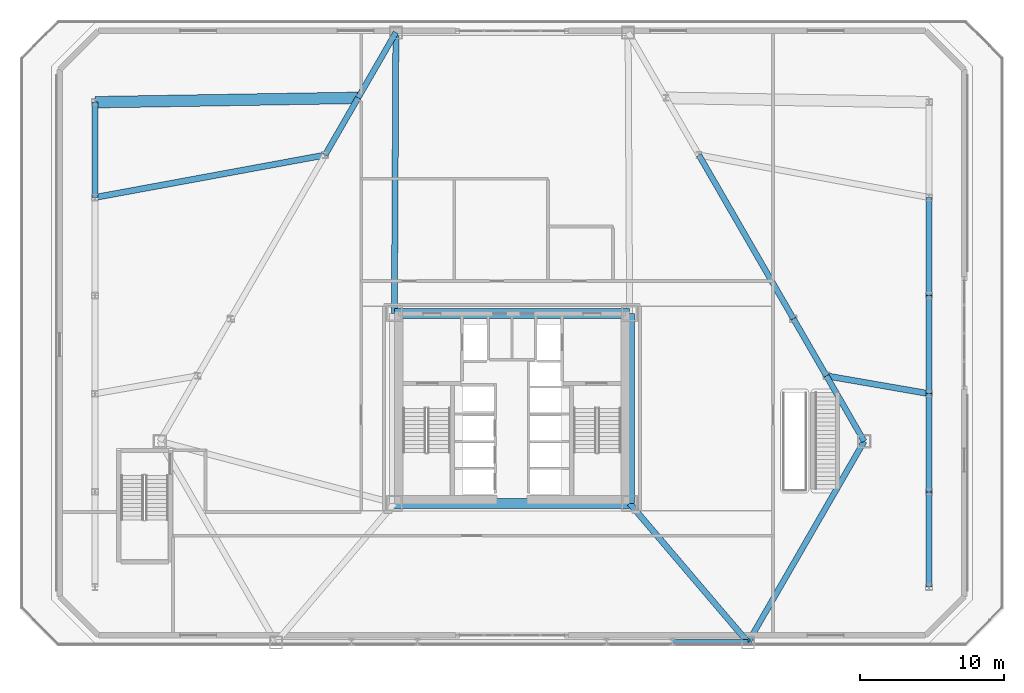
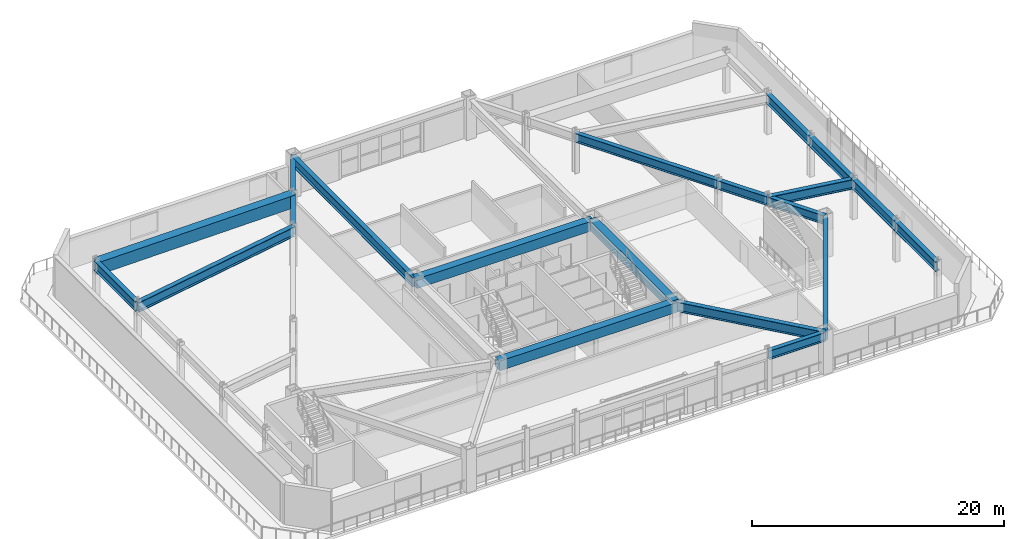
# One storey, part 5 of 22: 20 beams.
"""IFC4 building model written with IfcOpenShell, lengths in metres."""

import ifcopenshell
import ifcopenshell.guid

model = None  # the IFC model being written
_history = None  # IfcOwnerHistory: only IFC2X3 demands one
_inside = {}  # id of a spatial element -> (the spatial element, [elements in it])
_under = {}  # id of a project, library or spatial element -> (it, [spatial elements below it])
_declared = {}  # id of a project -> (the project, [libraries it declares])
_typed = {}  # id of a type object -> (the type object, [elements of that type])
_made_of = {}  # id of a material, layer set ... -> (it, [elements and type objects made of it])


def new_model(schema):
    """Start an empty IFC model of exactly this schema.

    Asked for "IFC4X3", IfcOpenShell would pick the latest addendum, in which some entities
    have other attributes; the version numbers below select the first issue.
    IFC2X3 requires an IfcOwnerHistory on every rooted entity: one is made here for all.
    """
    global model, _history
    if schema == "IFC4X3":
        model = ifcopenshell.file(schema_version=(4, 3, 0, 0))
    else:
        model = ifcopenshell.file(schema=schema)
    _inside.clear()
    _under.clear()
    _declared.clear()
    _typed.clear()
    _made_of.clear()
    _history = None
    if model.schema == "IFC2X3":
        org = make("IfcOrganization", Name="unknown")
        user = make(
            "IfcPersonAndOrganization",
            ThePerson=make("IfcPerson", FamilyName="unknown"),
            TheOrganization=org,
        )
        app = make(
            "IfcApplication",
            ApplicationDeveloper=org,
            Version="unknown",
            ApplicationFullName="unknown",
            ApplicationIdentifier="unknown",
        )
        _history = make(
            "IfcOwnerHistory",
            OwningUser=user,
            OwningApplication=app,
            ChangeAction="ADDED",
            CreationDate=0,
        )
    return model


def make(cls, **values):
    """One entity of the class cls with the attributes given. An attribute that is None is left unset."""
    return model.create_entity(
        cls, **{name: value for name, value in values.items() if value is not None}
    )


def rooted(cls, **values):
    """An entity with a GlobalId (a new one), such as an element, a storey or a relation."""
    return make(cls, GlobalId=ifcopenshell.guid.new(), OwnerHistory=_history, **values)


def si_unit(unit_type, name, prefix=None):
    """IfcSIUnit, for example si_unit("LENGTHUNIT", "METRE", prefix="MILLI")."""
    return make("IfcSIUnit", UnitType=unit_type, Prefix=prefix, Name=name)


def assignment(units):
    """IfcUnitAssignment: the units of a project."""
    return None if units is None else make("IfcUnitAssignment", Units=units)


def point(xyz):
    """IfcCartesianPoint."""
    return None if xyz is None else make("IfcCartesianPoint", Coordinates=xyz)


def direction(xyz):
    """IfcDirection."""
    return None if xyz is None else make("IfcDirection", DirectionRatios=xyz)


def frame(location, z_axis=None, x_axis=None):
    """IfcAxis2Placement3D, a coordinate frame: its origin and axes. An axis left out is left unset."""
    return make(
        "IfcAxis2Placement3D",
        Location=point(location),
        Axis=direction(z_axis),
        RefDirection=direction(x_axis),
    )


def frame_2d(location, x_axis=None):
    """IfcAxis2Placement2D, a coordinate frame in the plane: its origin and x axis."""
    return make(
        "IfcAxis2Placement2D", Location=point(location), RefDirection=direction(x_axis)
    )


def origin():
    """The frame at (0, 0, 0) with its axes left unset."""
    return frame((0.0, 0.0, 0.0))


def origin_2d():
    """The frame at (0, 0) in the plane with its x axis left unset."""
    return frame_2d((0.0, 0.0))


def place(relative_to, where):
    """IfcLocalPlacement: puts the frame where relative to a parent placement (None: the world)."""
    return make(
        "IfcLocalPlacement", PlacementRelTo=relative_to, RelativePlacement=where
    )


def context(
    kind, dimensions, precision=None, world=None, true_north=None, identifier=None
):
    """IfcGeometricRepresentationContext, for example the 3D "Model" context."""
    return make(
        "IfcGeometricRepresentationContext",
        ContextIdentifier=identifier,
        ContextType=kind,
        CoordinateSpaceDimension=dimensions,
        Precision=precision,
        WorldCoordinateSystem=world,
        TrueNorth=true_north,
    )


def subcontext(parent, identifier, kind, view, scale=None):
    """IfcGeometricRepresentationSubContext, for example "Body" below "Model"."""
    return make(
        "IfcGeometricRepresentationSubContext",
        ContextIdentifier=identifier,
        ContextType=kind,
        ParentContext=parent,
        TargetScale=scale,
        TargetView=view,
    )


def project(units=None, contexts=None):
    """IfcProject with its units and contexts."""
    return rooted(
        "IfcProject",
        Name="project",
        RepresentationContexts=contexts,
        UnitsInContext=assignment(units),
    )


def spatial(cls, under=None, at=None, **own):
    """A site, building, storey or space (cls), placed at a placement, below another one or the project."""
    s = rooted(cls, ObjectPlacement=at, **own)
    if under is not None:
        _under.setdefault(under.id(), (under, []))[1].append(s)
    return s


def profile(cls, at=None, kind="AREA", **sizes):
    """A parametric profile (cls). Its sizes go by their IFC names, for example OverallWidth=200.0."""
    return make(cls, ProfileType=kind, Position=at, **sizes)


def rectangle(**sizes):
    """IfcRectangleProfileDef."""
    return profile("IfcRectangleProfileDef", **sizes)


def hollow_rectangle(**sizes):
    """IfcRectangleHollowProfileDef."""
    return profile("IfcRectangleHollowProfileDef", **sizes)


def i_section(**sizes):
    """IfcIShapeProfileDef."""
    return profile("IfcIShapeProfileDef", **sizes)


def extrude(swept, where, along, depth):
    """IfcExtrudedAreaSolid: the profile swept, set in the frame where, extruded along a direction by depth."""
    return make(
        "IfcExtrudedAreaSolid",
        SweptArea=swept,
        Position=where,
        ExtrudedDirection=direction(along),
        Depth=depth,
    )


def shape(context_of_items, identifier, shape_type, items):
    """IfcShapeRepresentation: the items that make up one representation, for example the "Body"."""
    return make(
        "IfcShapeRepresentation",
        ContextOfItems=context_of_items,
        RepresentationIdentifier=identifier,
        RepresentationType=shape_type,
        Items=items,
    )


def material(Name=None, Category=None):
    """IfcMaterial."""
    return make("IfcMaterial", Name=Name, Category=Category)


def material_profile(
    of_material, cross_section, Name=None, Category=None, Priority=None
):
    """IfcMaterialProfile: a cross section and its material."""
    return make(
        "IfcMaterialProfile",
        Name=Name,
        Material=of_material,
        Profile=cross_section,
        Priority=Priority,
        Category=Category,
    )


def profile_set(profiles, Name=None, composite=None):
    """IfcMaterialProfileSet."""
    return make(
        "IfcMaterialProfileSet",
        Name=Name,
        MaterialProfiles=profiles,
        CompositeProfile=composite,
    )


def made_of(thing, what):
    """Note that an element or type object is made of a material, layer set ...; save() writes the relation."""
    if what is not None:
        _made_of.setdefault(what.id(), (what, []))[1].append(thing)
    return thing


def type_object(cls, material=None, **own):
    """A type object (cls), such as IfcWallType, which elements share."""
    return made_of(rooted(cls, **own), material)


def element(
    cls,
    number,
    at=None,
    inside=None,
    cuts=None,
    type_object=None,
    material=None,
    context=None,
    identifier="Body",
    shape_type=None,
    held_by="IfcProductDefinitionShape",
    body=None,
    shapes=None,
    **own,
):
    """One element of the class cls, such as IfcWall. Its Tag is "e" and its number.

    at: its placement. inside: the storey or other place that contains it. cuts: it is an
    opening in that element (IfcRelVoidsElement). A single representation is given by context,
    identifier, shape_type and body (its items); several are given by shapes. held_by: the class
    of the entity that holds the representations. save() writes the other relations.
    """
    e = rooted(cls, Tag="e%d" % number, ObjectPlacement=at, **own)
    if body is not None:
        shapes = [shape(context, identifier, shape_type, body)]
    if shapes is not None:
        e.Representation = make(held_by, Representations=shapes)
    if inside is not None:
        _inside.setdefault(inside.id(), (inside, []))[1].append(e)
    if cuts is not None:
        rooted(
            "IfcRelVoidsElement", RelatingBuildingElement=cuts, RelatedOpeningElement=e
        )
    if type_object is not None:
        _typed.setdefault(type_object.id(), (type_object, []))[1].append(e)
    return made_of(e, material)


def aggregate(whole, parts):
    """IfcRelAggregates: a whole, such as a stair, and the parts it consists of."""
    return rooted("IfcRelAggregates", RelatingObject=whole, RelatedObjects=parts)


def save(model, path):
    """Write the relations noted so far, then the file.

    IfcRelAggregates (storeys below a building ...), IfcRelContainedInSpatialStructure (elements
    in a storey), IfcRelDefinesByType, IfcRelAssociatesMaterial and IfcRelDeclares: one each for
    every whole, place, type object, material and project.
    """
    for whole, parts in _under.values():
        aggregate(whole, parts)
    for where, things in _inside.values():
        rooted(
            "IfcRelContainedInSpatialStructure",
            RelatedElements=things,
            RelatingStructure=where,
        )
    for kind, things in _typed.values():
        rooted("IfcRelDefinesByType", RelatedObjects=things, RelatingType=kind)
    for what, things in _made_of.values():
        rooted("IfcRelAssociatesMaterial", RelatedObjects=things, RelatingMaterial=what)
    for by, libraries in _declared.values():
        rooted("IfcRelDeclares", RelatingContext=by, RelatedDefinitions=libraries)
    model.write(path)


model = new_model("IFC4")

# Units and contexts
model_context = context("Model", 3, precision=1e-05, world=origin(), true_north=direction((0.0, 1.0)))
body_context = subcontext(model_context, "Body", "Model", "MODEL_VIEW")
ifc_project = project(units=[si_unit("LENGTHUNIT", "METRE"), si_unit("AREAUNIT", "SQUARE_METRE"), si_unit("VOLUMEUNIT", "CUBIC_METRE"), si_unit("PLANEANGLEUNIT", "RADIAN"), si_unit("MASSUNIT", "GRAM", prefix="KILO")], contexts=[model_context])

# Site, building, storey
site_placement = place(None, origin())
site = spatial("IfcSite", under=ifc_project, at=site_placement, CompositionType="ELEMENT")
building_placement = place(site_placement, origin())
building = spatial("IfcBuilding", under=site, at=building_placement, Name="Oramaril Tower", CompositionType="ELEMENT")
storey_placement = place(building_placement, frame((0.0, 0.0, 18.300048828125)))
storey = spatial("IfcBuildingStorey", under=building, at=storey_placement, Name="L04", CompositionType="ELEMENT", Elevation=18.300048828125)

# Beams
ifc_material_1 = material(Name="Concrete C50/60", Category="concrete")
ifc_material_profile_1 = material_profile(ifc_material_1, rectangle(XDim=0.699951171875, YDim=0.949951171875, at=origin_2d()), Name="CB700X950")
ifc_profile_set_1 = profile_set([ifc_material_profile_1], Name="Concrete C50/60")
beam_type_1 = type_object("IfcBeamType", Name="BT-CB1", PredefinedType="BEAM", material=ifc_profile_set_1)
beam_1_placement = place(storey_placement, frame((29.35009765625, 11.0, 3.405029296875), z_axis=(1.0, 0.0, 0.0), x_axis=(0.0, 1.0, 0.0)))
element("IfcBeam", 1, at=beam_1_placement, inside=storey, type_object=beam_type_1, Name="L04 Core Header Beam CB-1", PredefinedType="BEAM", context=body_context, shape_type="SweptSolid", body=[
    extrude(rectangle(XDim=0.699951171875, YDim=0.949951171875, at=origin_2d()), origin(), (0.0, 0.0, 1.0), 16.2998046875),
])
beam_2_placement = place(storey_placement, frame((45.64990234375, 11.0, 3.405029296875), z_axis=(0.0, 1.0, 0.0), x_axis=(-1.0, 0.0, 0.0)))
element("IfcBeam", 2, at=beam_2_placement, inside=storey, type_object=beam_type_1, Name="L04 Core Header Beam CB-2", PredefinedType="BEAM", context=body_context, shape_type="SweptSolid", body=[
    extrude(rectangle(XDim=0.699951171875, YDim=0.949951171875, at=origin_2d()), origin(), (0.0, 0.0, 1.0), 13.14990234375),
])
beam_3_placement = place(storey_placement, frame((45.64990234375, 24.14990234375, 3.405029296875), z_axis=(-1.0, 0.0, 0.0), x_axis=(0.0, -1.0, 0.0)))
element("IfcBeam", 3, at=beam_3_placement, inside=storey, type_object=beam_type_1, Name="L04 Core Header Beam CB-3", PredefinedType="BEAM", context=body_context, shape_type="SweptSolid", body=[
    extrude(rectangle(XDim=0.699951171875, YDim=0.949951171875, at=origin_2d()), origin(), (0.0, 0.0, 1.0), 16.2998046875),
])
ifc_material_2 = material(Name="Steel ASTM A572 Gr 50", Category="steel")
ifc_material_profile_2 = material_profile(ifc_material_2, i_section(OverallWidth=0.424072265625, OverallDepth=0.947021484375, WebThickness=0.02392578125, FlangeThickness=0.042724609375, at=origin_2d()), Name="W36X302")
ifc_profile_set_2 = profile_set([ifc_material_profile_2], Name="Steel ASTM A572 Gr 50")
beam_type_2 = type_object("IfcBeamType", Name="BT-PG1", PredefinedType="BEAM", material=ifc_profile_set_2)
beam_4_placement = place(storey_placement, frame((8.60009765625, 32.199951171875, 3.406494140625), z_axis=(0.983441112449, 0.181227973404, 0.0), x_axis=(-0.181227973404, 0.983441112449, 0.0)))
element("IfcBeam", 4, at=beam_4_placement, inside=storey, type_object=beam_type_2, Name="L04 Podium Clear-Span Girder 05", PredefinedType="BEAM", context=body_context, shape_type="SweptSolid", body=[
    extrude(i_section(OverallWidth=0.424072265625, OverallDepth=0.947021484375, WebThickness=0.02392578125, FlangeThickness=0.042724609375, at=origin_2d()), origin(), (0.0, 0.0, 1.0), 16.211669921875),
])
beam_5_placement = place(storey_placement, frame((66.39990234375, 18.60009765625, 3.406494140625), z_axis=(-0.985251471122, 0.171112649011, 0.0), x_axis=(-0.171112649011, -0.985251471122, 0.0)))
element("IfcBeam", 5, at=beam_5_placement, inside=storey, type_object=beam_type_2, Name="L04 Podium Clear-Span Girder 09", PredefinedType="BEAM", context=body_context, shape_type="SweptSolid", body=[
    extrude(i_section(OverallWidth=0.424072265625, OverallDepth=0.947021484375, WebThickness=0.02392578125, FlangeThickness=0.042724609375, at=origin_2d()), origin(), (0.0, 0.0, 1.0), 7.2138671875),
])
ifc_material_3 = material(Name="Steel ASTM A572 Gr 50", Category="steel")
ifc_material_profile_3 = material_profile(ifc_material_3, i_section(OverallWidth=0.4189453125, OverallDepth=0.927001953125, WebThickness=0.019287109375, FlangeThickness=0.031982421875, at=origin_2d()), Name="W36X231")
ifc_profile_set_3 = profile_set([ifc_material_profile_3], Name="Steel ASTM A572 Gr 50")
beam_type_3 = type_object("IfcBeamType", Name="BT-PG2", PredefinedType="BEAM", material=ifc_profile_set_3)
beam_6_placement = place(storey_placement, frame((45.64990234375, 11.0, 3.41650390625), z_axis=(0.64848466157, -0.761227721322, 0.0), x_axis=(0.761227721322, 0.64848466157, 0.0)))
element("IfcBeam", 6, at=beam_6_placement, inside=storey, type_object=beam_type_3, Name="L04 Radial Primary Beam RB-03", PredefinedType="BEAM", context=body_context, shape_type="SweptSolid", body=[
    extrude(i_section(OverallWidth=0.4189453125, OverallDepth=0.927001953125, WebThickness=0.019287109375, FlangeThickness=0.031982421875, at=origin_2d()), origin(), (0.0, 0.0, 1.0), 12.66357421875),
])
beam_7_placement = place(storey_placement, frame((29.35009765625, 24.14990234375, 3.41650390625), z_axis=(0.005223463456, 0.999986357622, 0.0), x_axis=(-0.999986357622, 0.005223463456, 0.0)))
element("IfcBeam", 7, at=beam_7_placement, inside=storey, type_object=beam_type_3, Name="L04 Radial Primary Beam RB-06", PredefinedType="BEAM", context=body_context, shape_type="SweptSolid", body=[
    extrude(i_section(OverallWidth=0.4189453125, OverallDepth=0.927001953125, WebThickness=0.019287109375, FlangeThickness=0.031982421875, at=origin_2d()), origin(), (0.0, 0.0, 1.0), 19.490234375),
])
for number, where, z_axis, x_axis, name in (
    (8, (8.60009765625, 32.199951171875, 3.41650390625), (0.0, 1.0, 0.0), (-1.0, 0.0, 0.0), "L04 Podium Perimeter Girder 05"),
    (9, (66.39990234375, 5.199951171875, 3.41650390625), (0.0, 1.0, 0.0), (-1.0, 0.0, 0.0), "L04 Podium Perimeter Girder 07"),
):
    element("IfcBeam", number, at=place(storey_placement, frame(where, z_axis=z_axis, x_axis=x_axis)), inside=storey, type_object=beam_type_3, Name=name, PredefinedType="BEAM", context=body_context, shape_type="SweptSolid", body=[
        extrude(i_section(OverallWidth=0.4189453125, OverallDepth=0.927001953125, WebThickness=0.019287109375, FlangeThickness=0.031982421875, at=origin_2d()), origin(), (0.0, 0.0, 1.0), 6.60009765625),
    ])
beam_8_placement = place(storey_placement, frame((66.39990234375, 11.800048828125, 3.41650390625), z_axis=(0.0, 1.0, 0.0), x_axis=(-1.0, 0.0, 0.0)))
element("IfcBeam", 10, at=beam_8_placement, inside=storey, type_object=beam_type_3, Name="L04 Podium Perimeter Girder 08", PredefinedType="BEAM", context=body_context, shape_type="SweptSolid", body=[
    extrude(i_section(OverallWidth=0.4189453125, OverallDepth=0.927001953125, WebThickness=0.019287109375, FlangeThickness=0.031982421875, at=origin_2d()), origin(), (0.0, 0.0, 1.0), 6.800048828125),
])
beam_9_placement = place(storey_placement, frame((66.39990234375, 18.60009765625, 3.41650390625), z_axis=(0.0, 1.0, 0.0), x_axis=(-1.0, 0.0, 0.0)))
element("IfcBeam", 11, at=beam_9_placement, inside=storey, type_object=beam_type_3, Name="L04 Podium Perimeter Girder 09", PredefinedType="BEAM", context=body_context, shape_type="SweptSolid", body=[
    extrude(i_section(OverallWidth=0.4189453125, OverallDepth=0.927001953125, WebThickness=0.019287109375, FlangeThickness=0.031982421875, at=origin_2d()), origin(), (0.0, 0.0, 1.0), 6.7998046875),
])
beam_10_placement = place(storey_placement, frame((66.39990234375, 25.39990234375, 3.41650390625), z_axis=(0.0, 1.0, 0.0), x_axis=(-1.0, 0.0, 0.0)))
element("IfcBeam", 12, at=beam_10_placement, inside=storey, type_object=beam_type_3, Name="L04 Podium Perimeter Girder 10", PredefinedType="BEAM", context=body_context, shape_type="SweptSolid", body=[
    extrude(i_section(OverallWidth=0.4189453125, OverallDepth=0.927001953125, WebThickness=0.019287109375, FlangeThickness=0.031982421875, at=origin_2d()), origin(), (0.0, 0.0, 1.0), 6.800048828125),
])
ifc_material_4 = material(Name="Steel ASTM A572 Gr 50", Category="steel")
ifc_material_profile_4 = material_profile(ifc_material_4, i_section(OverallWidth=0.40087890625, OverallDepth=0.85595703125, WebThickness=0.018310546875, FlangeThickness=0.029296875, at=origin_2d()), Name="W33X201")
ifc_profile_set_4 = profile_set([ifc_material_profile_4], Name="Steel ASTM A572 Gr 50")
beam_type_4 = type_object("IfcBeamType", Name="BT-SP1", PredefinedType="SPANDREL", material=ifc_profile_set_4)
beam_11_placement = place(storey_placement, frame((48.626220703125, 1.360107421875, 3.451904296875), z_axis=(1.0, 0.0, 0.0), x_axis=(0.0, 1.0, 0.0)))
element("IfcBeam", 13, at=beam_11_placement, inside=storey, type_object=beam_type_4, Name="L04 Perimeter Spandrel 06", PredefinedType="SPANDREL", context=body_context, shape_type="SweptSolid", body=[
    extrude(i_section(OverallWidth=0.40087890625, OverallDepth=0.85595703125, WebThickness=0.018310546875, FlangeThickness=0.029296875, at=origin_2d()), origin(), (0.0, 0.0, 1.0), 5.23583984375),
])
beam_12_placement = place(storey_placement, frame((53.862060546875, 1.360107421875, 3.451904296875), z_axis=(0.500005168208, 0.866022419898, 0.0), x_axis=(-0.866022419898, 0.500005168208, 0.0)))
element("IfcBeam", 14, at=beam_12_placement, inside=storey, type_object=beam_type_4, Name="L04 Perimeter Spandrel 07", PredefinedType="SPANDREL", context=body_context, shape_type="SweptSolid", body=[
    extrude(i_section(OverallWidth=0.40087890625, OverallDepth=0.85595703125, WebThickness=0.018310546875, FlangeThickness=0.029296875, at=origin_2d()), origin(), (0.0, 0.0, 1.0), 16.096435546875),
])
beam_13_placement = place(storey_placement, frame((61.910400390625, 15.300048828125, 3.451904296875), z_axis=(-0.499995574394, 0.866027958894, 0.0), x_axis=(-0.866027958894, -0.499995574394, 0.0)))
element("IfcBeam", 15, at=beam_13_placement, inside=storey, type_object=beam_type_4, Name="L04 Perimeter Spandrel 08", PredefinedType="SPANDREL", context=body_context, shape_type="SweptSolid", body=[
    extrude(i_section(OverallWidth=0.40087890625, OverallDepth=0.85595703125, WebThickness=0.018310546875, FlangeThickness=0.029296875, at=origin_2d()), origin(), (0.0, 0.0, 1.0), 5.23583984375),
])
beam_14_placement = place(storey_placement, frame((59.29248046875, 19.83447265625, 3.451904296875), z_axis=(-0.500019215235, 0.866014309579, 0.0), x_axis=(-0.866014309579, -0.500019215235, 0.0)))
element("IfcBeam", 16, at=beam_14_placement, inside=storey, type_object=beam_type_4, Name="L04 Perimeter Spandrel 09", PredefinedType="SPANDREL", context=body_context, shape_type="SweptSolid", body=[
    extrude(i_section(OverallWidth=0.40087890625, OverallDepth=0.85595703125, WebThickness=0.018310546875, FlangeThickness=0.029296875, at=origin_2d()), origin(), (0.0, 0.0, 1.0), 4.581298828125),
])
beam_15_placement = place(storey_placement, frame((57.001708984375, 23.802001953125, 3.451904296875), z_axis=(-0.50000660679, 0.866021589319, 0.0), x_axis=(-0.866021589319, -0.50000660679, 0.0)))
element("IfcBeam", 17, at=beam_15_placement, inside=storey, type_object=beam_type_4, Name="L04 Perimeter Spandrel 10", PredefinedType="SPANDREL", context=body_context, shape_type="SweptSolid", body=[
    extrude(i_section(OverallWidth=0.40087890625, OverallDepth=0.85595703125, WebThickness=0.018310546875, FlangeThickness=0.029296875, at=origin_2d()), origin(), (0.0, 0.0, 1.0), 13.089599609375),
])
beam_16_placement = place(storey_placement, frame((29.451904296875, 43.639892578125, 3.451904296875), z_axis=(-0.500015765613, -0.866016301312, 0.0), x_axis=(0.866016301312, -0.500015765613, 0.0)))
element("IfcBeam", 18, at=beam_16_placement, inside=storey, type_object=beam_type_4, Name="L04 Perimeter Spandrel 14", PredefinedType="SPANDREL", context=body_context, shape_type="SweptSolid", body=[
    extrude(i_section(OverallWidth=0.40087890625, OverallDepth=0.85595703125, WebThickness=0.018310546875, FlangeThickness=0.029296875, at=origin_2d()), origin(), (0.0, 0.0, 1.0), 5.235595703125),
])
beam_17_placement = place(storey_placement, frame((26.833984375, 39.105712890625, 3.451904296875), z_axis=(-0.499996140324, -0.866027632158, 0.0), x_axis=(0.866027632158, -0.499996140324, 0.0)))
element("IfcBeam", 19, at=beam_17_placement, inside=storey, type_object=beam_type_4, Name="L04 Perimeter Spandrel 15", PredefinedType="SPANDREL", context=body_context, shape_type="SweptSolid", body=[
    extrude(i_section(OverallWidth=0.40087890625, OverallDepth=0.85595703125, WebThickness=0.018310546875, FlangeThickness=0.029296875, at=origin_2d()), origin(), (0.0, 0.0, 1.0), 4.58154296875),
])
ifc_material_5 = material(Name="Steel ASTM A572 Gr 50", Category="steel")
ifc_material_profile_5 = material_profile(ifc_material_5, hollow_rectangle(XDim=0.800048828125, YDim=1.199951171875, WallThickness=0.074951171875, at=origin_2d()), Name="BOX1200X800X75")
ifc_profile_set_5 = profile_set([ifc_material_profile_5], Name="Steel ASTM A572 Gr 50")
beam_type_5 = type_object("IfcBeamType", Name="BT-TT1", PredefinedType="BEAM", material=ifc_profile_set_5)
beam_18_placement = place(storey_placement, frame((8.60009765625, 38.800048828125, 3.280029296875), z_axis=(0.999859521862, 0.016761161682, 0.0), x_axis=(-0.016761161682, 0.999859521862, 0.0)))
element("IfcBeam", 20, at=beam_18_placement, inside=storey, type_object=beam_type_5, Name="L04 Podium Clear-Span Girder 06", PredefinedType="BEAM", context=body_context, shape_type="SweptSolid", body=[
    extrude(hollow_rectangle(XDim=0.800048828125, YDim=1.199951171875, WallThickness=0.074951171875, at=origin_2d()), origin(), (0.0, 0.0, 1.0), 18.236328125),
])

save(model, "model.ifc")
